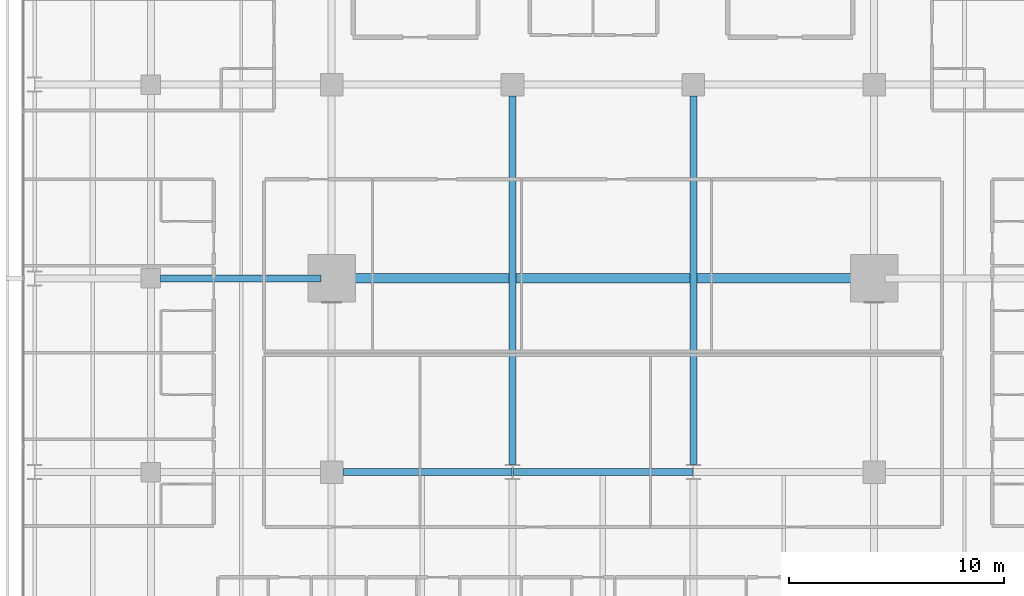
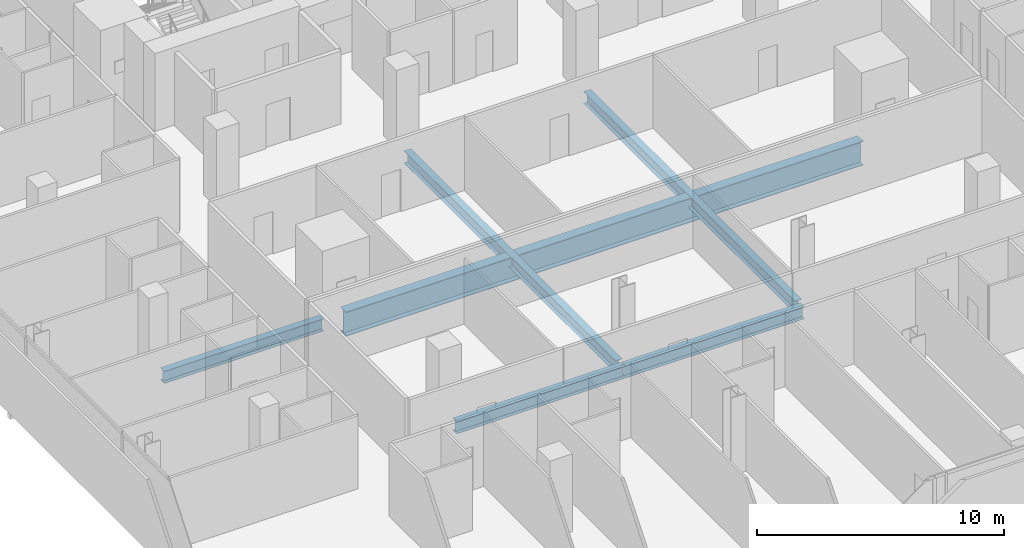
# One storey, part 13 of 41: 6 beams.
"""IFC4 building model written with IfcOpenShell, lengths in metres."""

from ifc_helpers import new_model, si_unit, direction, frame, origin, origin_2d, place, context, subcontext, project, spatial, i_section, extrude, material, material_profile, profile_set, type_object, element, save


model = new_model("IFC4")

# Units and contexts
model_context = context("Model", 3, precision=1e-05, world=origin(), true_north=direction((0.0, 1.0)))
body_context = subcontext(model_context, "Body", "Model", "MODEL_VIEW")
ifc_project = project(units=[si_unit("LENGTHUNIT", "METRE"), si_unit("AREAUNIT", "SQUARE_METRE"), si_unit("VOLUMEUNIT", "CUBIC_METRE"), si_unit("PLANEANGLEUNIT", "RADIAN"), si_unit("MASSUNIT", "GRAM", prefix="KILO")], contexts=[model_context])

# Site, building, storey
site_placement = place(None, origin())
site = spatial("IfcSite", under=ifc_project, at=site_placement, CompositionType="ELEMENT")
building_placement = place(site_placement, origin())
building = spatial("IfcBuilding", under=site, at=building_placement, Name="Maruvema Waterfront Hotel and Observation Tower", CompositionType="ELEMENT")
storey_placement = place(building_placement, frame((0.0, 0.0, 84.699951171875)))
storey = spatial("IfcBuildingStorey", under=building, at=storey_placement, Name="L20", CompositionType="ELEMENT", Elevation=84.699951171875)

# Beams
ifc_material_1 = material(Name="Steel ASTM A572 Grade 50", Category="steel")
ifc_material_profile_1 = material_profile(ifc_material_1, i_section(OverallWidth=0.323974609375, OverallDepth=0.611083984375, WebThickness=0.0126953125, FlangeThickness=0.01904296875, FilletRadius=0.01806640625, at=origin_2d()), Name="W610x155.0")
ifc_profile_set_1 = profile_set([ifc_material_profile_1], Name="Steel ASTM A572 Grade 50")
beam_type_1 = type_object("IfcBeamType", Name="Primary Floor Girder W610x155.0", PredefinedType="BEAM", material=ifc_profile_set_1)
beam_1_placement = place(storey_placement, frame((25.72509765625, 18.0, -0.54541015625), z_axis=(1.0, 0.0, 0.0), x_axis=(0.0, 1.0, 0.0)))
element("IfcBeam", 1, at=beam_1_placement, inside=storey, type_object=beam_type_1, Name="L20 Floor Girder EW-15", PredefinedType="BEAM", context=body_context, shape_type="SweptSolid", body=[
    extrude(i_section(OverallWidth=0.323974609375, OverallDepth=0.611083984375, WebThickness=0.0126953125, FlangeThickness=0.01904296875, FilletRadius=0.01806640625, at=origin_2d()), origin(), (0.0, 0.0, 1.0), 7.86083984375),
])
beam_2_placement = place(storey_placement, frame((33.614013671875, 18.0, -0.54541015625), z_axis=(1.0, 0.0, 0.0), x_axis=(0.0, 1.0, 0.0)))
element("IfcBeam", 2, at=beam_2_placement, inside=storey, type_object=beam_type_1, Name="L20 Floor Girder EW-16", PredefinedType="BEAM", context=body_context, shape_type="SweptSolid", body=[
    extrude(i_section(OverallWidth=0.323974609375, OverallDepth=0.611083984375, WebThickness=0.0126953125, FlangeThickness=0.01904296875, FilletRadius=0.01806640625, at=origin_2d()), origin(), (0.0, 0.0, 1.0), 8.3720703125),
])
beam_3_placement = place(storey_placement, frame((17.25, 27.0, -0.54541015625), z_axis=(1.0, 0.0, 0.0), x_axis=(0.0, 1.0, 0.0)))
element("IfcBeam", 3, at=beam_3_placement, inside=storey, type_object=beam_type_1, Name="L20 Floor Girder EW-21", PredefinedType="BEAM", context=body_context, shape_type="SweptSolid", body=[
    extrude(i_section(OverallWidth=0.323974609375, OverallDepth=0.611083984375, WebThickness=0.0126953125, FlangeThickness=0.01904296875, FilletRadius=0.01806640625, at=origin_2d()), origin(), (0.0, 0.0, 1.0), 7.449951171875),
])
for number, where, z_axis, x_axis, name in (
    (4, (33.60009765625, 18.35009765625, -0.54541015625), (0.0, 1.0, 0.0), (-1.0, 0.0, 0.0), "L20 Floor Girder NS-18"),
    (5, (42.0, 18.35009765625, -0.54541015625), (0.0, 1.0, 0.0), (-1.0, 0.0, 0.0), "L20 Floor Girder NS-21"),
):
    element("IfcBeam", number, at=place(storey_placement, frame(where, z_axis=z_axis, x_axis=x_axis)), inside=storey, type_object=beam_type_1, Name=name, PredefinedType="BEAM", context=body_context, shape_type="SweptSolid", body=[
        extrude(i_section(OverallWidth=0.323974609375, OverallDepth=0.611083984375, WebThickness=0.0126953125, FlangeThickness=0.01904296875, FilletRadius=0.01806640625, at=origin_2d()), origin(), (0.0, 0.0, 1.0), 17.125),
    ])
ifc_material_2 = material(Name="Steel ABNT NBR 7007 AR 415 (ASTM A572 Grade 50)", Category="steel")
ifc_material_profile_2 = material_profile(ifc_material_2, i_section(OverallWidth=0.449951171875, OverallDepth=1.199951171875, WebThickness=0.01904296875, FlangeThickness=0.031982421875, at=origin_2d()), Name="VS1200x366")
ifc_profile_set_2 = profile_set([ifc_material_profile_2], Name="Steel ABNT NBR 7007 AR 415 (ASTM A572 Grade 50)")
beam_type_2 = type_object("IfcBeamType", Name="Upper Setback Transfer Girder VS1200x366", PredefinedType="USERDEFINED", material=ifc_profile_set_2)
beam_4_placement = place(storey_placement, frame((25.699951171875, 27.0, -0.83984375), z_axis=(1.0, 0.0, 0.0), x_axis=(0.0, 1.0, 0.0)))
element("IfcBeam", 6, at=beam_4_placement, inside=storey, type_object=beam_type_2, Name="L20 Floor Girder EW-22", ObjectType="TRANSFER GIRDER", PredefinedType="USERDEFINED", context=body_context, shape_type="SweptSolid", body=[
    extrude(i_section(OverallWidth=0.449951171875, OverallDepth=1.199951171875, WebThickness=0.01904296875, FlangeThickness=0.031982421875, at=origin_2d()), origin(), (0.0, 0.0, 1.0), 24.199951171875),
])

save(model, "model.ifc")
